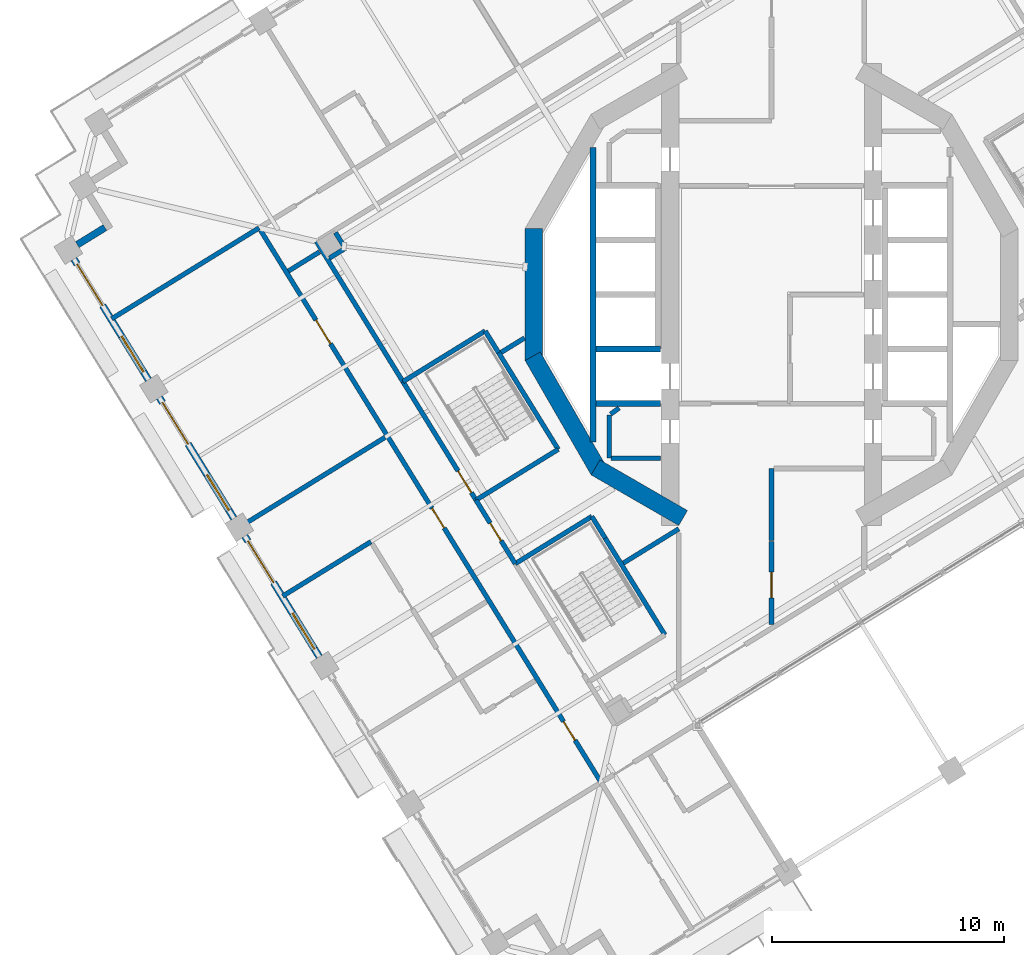
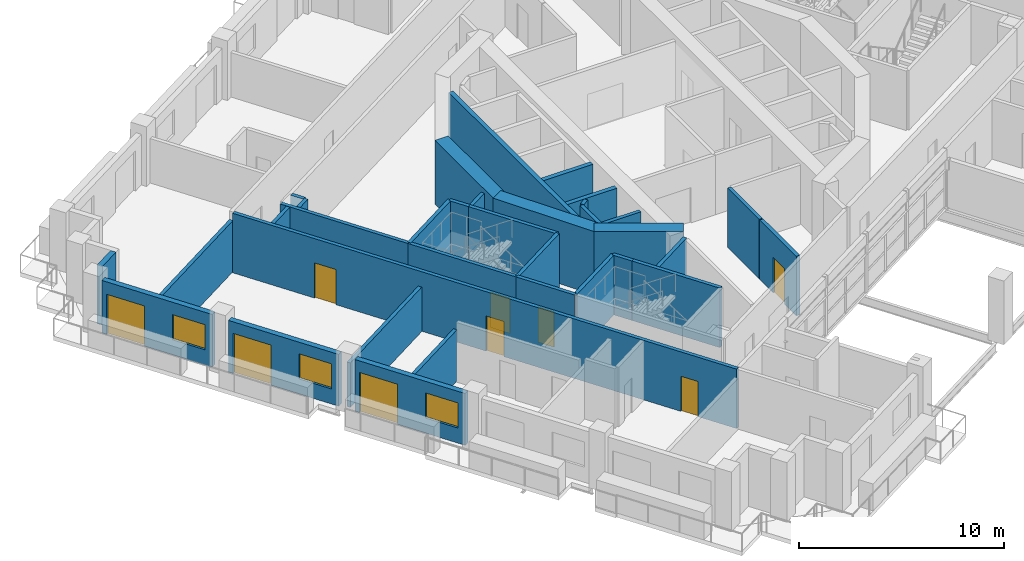
# One storey, part 9 of 22: 34 walls, 9 doors, 3 windows, 12 openings.
"""IFC4 building model written with IfcOpenShell, lengths in metres."""

from ifc_helpers import new_model, si_unit, direction, frame, frame_2d, origin, place, context, subcontext, project, spatial, rectangle, extrude, material, layer, layer_set, type_object, element, fill, save


model = new_model("IFC4")

# Units and contexts
model_context = context("Model", 3, precision=1e-05, world=origin(), true_north=direction((0.0, 1.0)))
body_context = subcontext(model_context, "Body", "Model", "MODEL_VIEW")
ifc_project = project(units=[si_unit("LENGTHUNIT", "METRE"), si_unit("AREAUNIT", "SQUARE_METRE"), si_unit("VOLUMEUNIT", "CUBIC_METRE"), si_unit("PLANEANGLEUNIT", "RADIAN"), si_unit("MASSUNIT", "GRAM", prefix="KILO")], contexts=[model_context])

# Site, building, storey
site_placement = place(None, origin())
site = spatial("IfcSite", under=ifc_project, at=site_placement, CompositionType="ELEMENT")
building_placement = place(site_placement, origin())
building = spatial("IfcBuilding", under=site, at=building_placement, Name="Cantera Rosa Tower", CompositionType="ELEMENT")
storey_placement = place(building_placement, frame((0.0, 0.0, 178.0)))
storey = spatial("IfcBuildingStorey", under=building, at=storey_placement, Name="L39", CompositionType="ELEMENT", Elevation=178.0)

# Wall, openings, doors
ifc_material_1 = material(Name="Gypsum board partition")
ifc_layer_1 = layer(ifc_material_1, 0.199951171875)
ifc_layer_set_1 = layer_set([ifc_layer_1], Name="CORRIDOR WALL 200 H3550")
wall_type_1 = type_object("IfcWallType", Name="CORRIDOR WALL 200 H3550", PredefinedType="PARTITIONING", material=ifc_layer_set_1)
wall_1_placement = place(storey_placement, frame((-22.037109375, 2.77392578125, 0.0), z_axis=(0.0, 0.0, 1.0), x_axis=(0.524973936666, -0.85111830307, 0.0)))
wall_1 = element("IfcWall", 1, at=wall_1_placement, inside=storey, type_object=wall_type_1, Name="CORRIDOR WALL L39-002", PredefinedType="PARTITIONING", context=body_context, shape_type="SweptSolid", body=[
    extrude(rectangle(XDim=27.97998046875, YDim=0.199951171875, at=frame_2d((13.989990234375, 0.0))), origin(), (0.0, 0.0, 1.0), 3.550048828125),
])
opening_1_placement = place(wall_1_placement, frame((4.550048828125, 0.0, 0.0)))
opening_1 = element("IfcOpeningElement", 2, at=opening_1_placement, cuts=wall_1, Name="Opening L39-043", PredefinedType="OPENING", context=body_context, shape_type="SweptSolid", body=[
    extrude(rectangle(XDim=1.199951171875, YDim=2.10009765625, at=frame_2d((0.60009765625, 1.050048828125))), frame((0.0, 0.10986328125, 0.0), z_axis=(0.0, -1.0, 0.0), x_axis=(1.0, 0.0, 0.0)), (0.0, 0.0, 1.0), 0.219970703125),
])
opening_2_placement = place(wall_1_placement, frame((14.0849609375, 0.0, 0.0)))
opening_2 = element("IfcOpeningElement", 3, at=opening_2_placement, cuts=wall_1, Name="Opening L39-044", PredefinedType="OPENING", context=body_context, shape_type="SweptSolid", body=[
    extrude(rectangle(XDim=1.0, YDim=2.10009765625, at=frame_2d((0.5, 1.050048828125))), frame((0.0, 0.10986328125, 0.0), z_axis=(0.0, -1.0, 0.0), x_axis=(1.0, 0.0, 0.0)), (0.0, 0.0, 1.0), 0.219970703125),
])
opening_3_placement = place(wall_1_placement, frame((24.889892578125, 0.0, 0.0)))
opening_3 = element("IfcOpeningElement", 4, at=opening_3_placement, cuts=wall_1, Name="Opening L39-047", PredefinedType="OPENING", context=body_context, shape_type="SweptSolid", body=[
    extrude(rectangle(XDim=0.949951171875, YDim=2.10009765625, at=frame_2d((0.47509765625, 1.050048828125))), frame((0.0, 0.10986328125, 0.0), z_axis=(0.0, -1.0, 0.0), x_axis=(1.0, 0.0, 0.0)), (0.0, 0.0, 1.0), 0.219970703125),
])
ifc_material_2 = material(Name="Timber door leaf", Category="wood")
door_type_1 = type_object("IfcDoorType", Name="ENTRANCE DOOR 1000x2100", OperationType="NOTDEFINED", PredefinedType="DOOR", material=ifc_material_2)
door_1_placement = place(opening_2_placement, origin())
door_1 = element("IfcDoor", 5, at=door_1_placement, inside=storey, type_object=door_type_1, Name="DOOR L39-044", OperationType="NOTDEFINED", OverallHeight=2.10009765625, OverallWidth=1.0, PredefinedType="DOOR", context=body_context, shape_type="SweptSolid", body=[
    extrude(rectangle(XDim=1.0, YDim=2.10009765625, at=frame_2d((0.5, 1.050048828125))), frame((0.0, 0.02490234375, 0.0), z_axis=(0.0, -1.0, 0.0), x_axis=(1.0, 0.0, 0.0)), (0.0, 0.0, 1.0), 0.050048828125),
])
fill(opening_2, door_1)
ifc_material_3 = material(Name="Timber door leaf", Category="wood")
door_type_2 = type_object("IfcDoorType", Name="ROOM DOOR 1200x2100", OperationType="NOTDEFINED", PredefinedType="DOOR", material=ifc_material_3)
door_2_placement = place(opening_1_placement, origin())
door_2 = element("IfcDoor", 6, at=door_2_placement, inside=storey, type_object=door_type_2, Name="DOOR L39-043", OperationType="NOTDEFINED", OverallHeight=2.10009765625, OverallWidth=1.199951171875, PredefinedType="DOOR", context=body_context, shape_type="SweptSolid", body=[
    extrude(rectangle(XDim=1.199951171875, YDim=2.10009765625, at=frame_2d((0.60009765625, 1.050048828125))), frame((0.0, 0.02490234375, 0.0), z_axis=(0.0, -1.0, 0.0), x_axis=(1.0, 0.0, 0.0)), (0.0, 0.0, 1.0), 0.050048828125),
])
fill(opening_1, door_2)
ifc_material_4 = material(Name="Timber door leaf", Category="wood")
door_type_3 = type_object("IfcDoorType", Name="ROOM DOOR 950x2100", OperationType="NOTDEFINED", PredefinedType="DOOR", material=ifc_material_4)
door_3_placement = place(opening_3_placement, origin())
door_3 = element("IfcDoor", 7, at=door_3_placement, inside=storey, type_object=door_type_3, Name="DOOR L39-047", OperationType="NOTDEFINED", OverallHeight=2.10009765625, OverallWidth=0.949951171875, PredefinedType="DOOR", context=body_context, shape_type="SweptSolid", body=[
    extrude(rectangle(XDim=0.949951171875, YDim=2.10009765625, at=frame_2d((0.47509765625, 1.050048828125))), frame((0.0, 0.02490234375, 0.0), z_axis=(0.0, -1.0, 0.0), x_axis=(1.0, 0.0, 0.0)), (0.0, 0.0, 1.0), 0.050048828125),
])
fill(opening_3, door_3)

# Walls
wall_2_placement = place(storey_placement, frame((-20.8349609375, 1.015380859375, 0.0), z_axis=(0.0, 0.0, 1.0), x_axis=(0.851143253059, 0.52493348414, 0.0)))
element("IfcWall", 8, at=wall_2_placement, inside=storey, type_object=wall_type_1, Name="CORRIDOR WALL L39-004", PredefinedType="PARTITIONING", context=body_context, shape_type="SweptSolid", body=[
    extrude(rectangle(XDim=1.579833984375, YDim=0.199951171875, at=frame_2d((0.7900390625, 0.0))), origin(), (0.0, 0.0, 1.0), 3.550048828125),
])
wall_3_placement = place(storey_placement, frame((-19.623291015625, 2.2890625, 0.0), z_axis=(0.0, 0.0, 1.0), x_axis=(0.524973806956, -0.851118383076, 0.0)))
element("IfcWall", 9, at=wall_3_placement, inside=storey, type_object=wall_type_1, Name="CORRIDOR WALL L39-005", PredefinedType="PARTITIONING", context=body_context, shape_type="SweptSolid", body=[
    extrude(rectangle(XDim=7.100830078125, YDim=0.199951171875, at=frame_2d((3.55029296875, 0.0))), origin(), (0.0, 0.0, 1.0), 3.550048828125),
])

# Wall, opening, door
wall_4_placement = place(storey_placement, frame((-12.74560546875, -8.861328125, 0.0), z_axis=(0.0, 0.0, 1.0), x_axis=(0.524959112102, -0.851127446756, 0.0)))
wall_4 = element("IfcWall", 10, at=wall_4_placement, inside=storey, type_object=wall_type_1, Name="CORRIDOR WALL L39-016", PredefinedType="PARTITIONING", context=body_context, shape_type="SweptSolid", body=[
    extrude(rectangle(XDim=3.223876953125, YDim=0.199951171875, at=frame_2d((1.61181640625, 0.0))), origin(), (0.0, 0.0, 1.0), 3.550048828125),
])
opening_4_placement = place(wall_4_placement, frame((1.161865234375, 0.0, 0.0)))
opening_4 = element("IfcOpeningElement", 11, at=opening_4_placement, cuts=wall_4, Name="Opening L39-007", PredefinedType="OPENING", context=body_context, shape_type="SweptSolid", body=[
    extrude(rectangle(XDim=0.89990234375, YDim=2.10009765625, at=frame_2d((0.449951171875, 1.050048828125))), frame((0.0, 0.10986328125, 0.0), z_axis=(0.0, -1.0, 0.0), x_axis=(1.0, 0.0, 0.0)), (0.0, 0.0, 1.0), 0.219970703125),
])
ifc_material_5 = material(Name="Timber door leaf", Category="wood")
door_type_4 = type_object("IfcDoorType", Name="SERVICE DOOR 900x2100", OperationType="NOTDEFINED", PredefinedType="DOOR", material=ifc_material_5)
door_4_placement = place(opening_4_placement, origin())
door_4 = element("IfcDoor", 12, at=door_4_placement, inside=storey, type_object=door_type_4, Name="DOOR L39-007", OperationType="NOTDEFINED", OverallHeight=2.10009765625, OverallWidth=0.89990234375, PredefinedType="DOOR", context=body_context, shape_type="SweptSolid", body=[
    extrude(rectangle(XDim=0.89990234375, YDim=2.10009765625, at=frame_2d((0.449951171875, 1.050048828125))), frame((0.0, 0.02490234375, 0.0), z_axis=(0.0, -1.0, 0.0), x_axis=(1.0, 0.0, 0.0)), (0.0, 0.0, 1.0), 0.050048828125),
])
fill(opening_4, door_4)

wall_5_placement = place(storey_placement, frame((0.0, -10.6552734375, 0.0), z_axis=(0.0, 0.0, 1.0), x_axis=(0.0, -1.0, 0.0)))
wall_5 = element("IfcWall", 13, at=wall_5_placement, inside=storey, type_object=wall_type_1, Name="CORRIDOR WALL L39-064", PredefinedType="PARTITIONING", context=body_context, shape_type="SweptSolid", body=[
    extrude(rectangle(XDim=3.57763671875, YDim=0.199951171875, at=frame_2d((1.788818359375, 0.0))), origin(), (0.0, 0.0, 1.0), 3.550048828125),
])
opening_5_placement = place(wall_5_placement, frame((1.31884765625, 0.0, 0.0)))
opening_5 = element("IfcOpeningElement", 14, at=opening_5_placement, cuts=wall_5, Name="Opening L39-017", PredefinedType="OPENING", context=body_context, shape_type="SweptSolid", body=[
    extrude(rectangle(XDim=1.10009765625, YDim=2.10009765625, at=frame_2d((0.550048828125, 1.050048828125))), frame((0.0, 0.10986328125, 0.0), z_axis=(0.0, -1.0, 0.0), x_axis=(1.0, 0.0, 0.0)), (0.0, 0.0, 1.0), 0.219970703125),
])
ifc_material_6 = material(Name="Timber door leaf", Category="wood")
door_type_5 = type_object("IfcDoorType", Name="ROOM DOOR 1100x2100", OperationType="NOTDEFINED", PredefinedType="DOOR", material=ifc_material_6)
door_5_placement = place(opening_5_placement, origin())
door_5 = element("IfcDoor", 15, at=door_5_placement, inside=storey, type_object=door_type_5, Name="DOOR L39-017", OperationType="NOTDEFINED", OverallHeight=2.10009765625, OverallWidth=1.10009765625, PredefinedType="DOOR", context=body_context, shape_type="SweptSolid", body=[
    extrude(rectangle(XDim=1.10009765625, YDim=2.10009765625, at=frame_2d((0.550048828125, 1.050048828125))), frame((0.0, 0.02490234375, 0.0), z_axis=(0.0, -1.0, 0.0), x_axis=(1.0, 0.0, 0.0)), (0.0, 0.0, 1.0), 0.050048828125),
])
fill(opening_5, door_5)

# Walls
wall_6_placement = place(storey_placement, frame((0.0, -7.5, 0.0), z_axis=(0.0, 0.0, 1.0), x_axis=(0.0, -1.0, 0.0)))
element("IfcWall", 16, at=wall_6_placement, inside=storey, type_object=wall_type_1, Name="CORRIDOR WALL L39-065", PredefinedType="PARTITIONING", context=body_context, shape_type="SweptSolid", body=[
    extrude(rectangle(XDim=3.09521484375, YDim=0.199951171875, at=frame_2d((1.547607421875, 0.0))), origin(), (0.0, 0.0, 1.0), 3.550048828125),
])
ifc_material_7 = material(Name="Hollow clay masonry with cantera stone cladding", Category="masonry")
ifc_layer_2 = layer(ifc_material_7, 0.300048828125)
ifc_layer_set_2 = layer_set([ifc_layer_2], Name="EW-LOGGIA 300")
wall_type_2 = type_object("IfcWallType", Name="EW-LOGGIA 300", PredefinedType="SOLIDWALL", material=ifc_layer_set_2)
wall_7_placement = place(storey_placement, frame((-28.74658203125, 2.888916015625, 0.0), z_axis=(0.0, 0.0, 1.0), x_axis=(-0.851040987269, -0.525099264891, 0.0)))
element("IfcWall", 17, at=wall_7_placement, inside=storey, type_object=wall_type_2, Name="EN-L39-W14b", PredefinedType="SOLIDWALL", context=body_context, shape_type="SweptSolid", body=[
    extrude(rectangle(XDim=1.39990234375, YDim=0.300048828125, at=frame_2d((0.699951171875, 0.0))), origin(), (0.0, 0.0, 1.0), 3.5),
])

# Wall, openings, window, door
ifc_material_8 = material(Name="Hollow clay masonry with cantera stone cladding", Category="masonry")
ifc_layer_3 = layer(ifc_material_8, 0.300048828125)
ifc_layer_set_3 = layer_set([ifc_layer_3], Name="EW-LOGGIA 300 H3090")
wall_type_3 = type_object("IfcWallType", Name="EW-LOGGIA 300 H3090", PredefinedType="SOLIDWALL", material=ifc_layer_set_3)
wall_8_placement = place(storey_placement, frame((-26.3994140625, -4.440185546875, 0.0), z_axis=(0.0, 0.0, 1.0), x_axis=(0.524987447654, -0.851109969279, 0.0)))
wall_8 = element("IfcWall", 18, at=wall_8_placement, inside=storey, type_object=wall_type_3, Name="EN-L39-W16", PredefinedType="SOLIDWALL", context=body_context, shape_type="SweptSolid", body=[
    extrude(rectangle(XDim=6.119873046875, YDim=0.300048828125, at=frame_2d((3.06005859375, 0.0))), origin(), (0.0, 0.0, 1.0), 3.090087890625),
])
opening_6_placement = place(wall_8_placement, frame((0.2548828125, 0.0, 0.0)))
opening_6 = element("IfcOpeningElement", 19, at=opening_6_placement, cuts=wall_8, Name="Opening L39-TD23", PredefinedType="OPENING", context=body_context, shape_type="SweptSolid", body=[
    extrude(rectangle(XDim=2.10009765625, YDim=2.39990234375, at=frame_2d((1.050048828125, 1.199951171875))), frame((0.0, 0.159912109375, 0.0), z_axis=(0.0, -1.0, 0.0), x_axis=(1.0, 0.0, 0.0)), (0.0, 0.0, 1.0), 0.320068359375),
])
opening_7_placement = place(wall_8_placement, frame((3.9150390625, 0.0, 0.89990234375)))
opening_7 = element("IfcOpeningElement", 20, at=opening_7_placement, cuts=wall_8, Name="Opening L39-W24", PredefinedType="OPENING", context=body_context, shape_type="SweptSolid", body=[
    extrude(rectangle(XDim=1.800048828125, YDim=1.5, at=frame_2d((0.89990234375, 0.75))), frame((0.0, 0.159912109375, 0.0), z_axis=(0.0, -1.0, 0.0), x_axis=(1.0, 0.0, 0.0)), (0.0, 0.0, 1.0), 0.320068359375),
])
ifc_material_9 = material(Name="Aluminium frame with clear glass", Category="aluminium")
window_type = type_object("IfcWindowType", Name="Hotel room window 1800x1500", PartitioningType="DOUBLE_PANEL_VERTICAL", PredefinedType="WINDOW", material=ifc_material_9)
window_1_placement = place(opening_7_placement, origin())
window_1 = element("IfcWindow", 21, at=window_1_placement, inside=storey, type_object=window_type, Name="WINDOW L39-W24", OverallHeight=1.5, OverallWidth=1.800048828125, PartitioningType="SINGLE_PANEL", PredefinedType="WINDOW", context=body_context, shape_type="SweptSolid", body=[
    extrude(rectangle(XDim=1.800048828125, YDim=1.5, at=frame_2d((0.89990234375, 0.75))), frame((0.0, 0.030029296875, 0.0), z_axis=(0.0, -1.0, 0.0), x_axis=(1.0, 0.0, 0.0)), (0.0, 0.0, 1.0), 0.06005859375),
])
fill(opening_7, window_1)
ifc_material_10 = material(Name="Aluminium frame with clear glass", Category="aluminium")
door_type_6 = type_object("IfcDoorType", Name="TD-H 2100x2400", OperationType="NOTDEFINED", PredefinedType="DOOR", material=ifc_material_10)
door_6_placement = place(opening_6_placement, origin())
door_6 = element("IfcDoor", 22, at=door_6_placement, inside=storey, type_object=door_type_6, Name="LOGGIA DOOR L39-TD23", OperationType="SLIDING_TO_LEFT", OverallHeight=2.39990234375, OverallWidth=2.10009765625, PredefinedType="DOOR", context=body_context, shape_type="SweptSolid", body=[
    extrude(rectangle(XDim=2.10009765625, YDim=2.39990234375, at=frame_2d((1.050048828125, 1.199951171875))), frame((0.0, 0.02490234375, 0.0), z_axis=(0.0, -1.0, 0.0), x_axis=(1.0, 0.0, 0.0)), (0.0, 0.0, 1.0), 0.050048828125),
])
fill(opening_6, door_6)

wall_9_placement = place(storey_placement, frame((-22.714111328125, -10.4150390625, 0.0), z_axis=(0.0, 0.0, 1.0), x_axis=(0.524987447654, -0.851109969279, 0.0)))
wall_9 = element("IfcWall", 23, at=wall_9_placement, inside=storey, type_object=wall_type_3, Name="EN-L39-W17", PredefinedType="SOLIDWALL", context=body_context, shape_type="SweptSolid", body=[
    extrude(rectangle(XDim=6.119873046875, YDim=0.300048828125, at=frame_2d((3.06005859375, 0.0))), origin(), (0.0, 0.0, 1.0), 3.090087890625),
])
opening_8_placement = place(wall_9_placement, frame((0.2548828125, 0.0, 0.0)))
opening_8 = element("IfcOpeningElement", 24, at=opening_8_placement, cuts=wall_9, Name="Opening L39-TD25", PredefinedType="OPENING", context=body_context, shape_type="SweptSolid", body=[
    extrude(rectangle(XDim=2.10009765625, YDim=2.39990234375, at=frame_2d((1.050048828125, 1.199951171875))), frame((0.0, 0.159912109375, 0.0), z_axis=(0.0, -1.0, 0.0), x_axis=(1.0, 0.0, 0.0)), (0.0, 0.0, 1.0), 0.320068359375),
])
opening_9_placement = place(wall_9_placement, frame((3.9150390625, 0.0, 0.89990234375)))
opening_9 = element("IfcOpeningElement", 25, at=opening_9_placement, cuts=wall_9, Name="Opening L39-W26", PredefinedType="OPENING", context=body_context, shape_type="SweptSolid", body=[
    extrude(rectangle(XDim=1.800048828125, YDim=1.5, at=frame_2d((0.89990234375, 0.75))), frame((0.0, 0.159912109375, 0.0), z_axis=(0.0, -1.0, 0.0), x_axis=(1.0, 0.0, 0.0)), (0.0, 0.0, 1.0), 0.320068359375),
])
window_2_placement = place(opening_9_placement, origin())
window_2 = element("IfcWindow", 26, at=window_2_placement, inside=storey, type_object=window_type, Name="WINDOW L39-W26", OverallHeight=1.5, OverallWidth=1.800048828125, PartitioningType="SINGLE_PANEL", PredefinedType="WINDOW", context=body_context, shape_type="SweptSolid", body=[
    extrude(rectangle(XDim=1.800048828125, YDim=1.5, at=frame_2d((0.89990234375, 0.75))), frame((0.0, 0.030029296875, 0.0), z_axis=(0.0, -1.0, 0.0), x_axis=(1.0, 0.0, 0.0)), (0.0, 0.0, 1.0), 0.06005859375),
])
fill(opening_9, window_2)
door_7_placement = place(opening_8_placement, origin())
door_7 = element("IfcDoor", 27, at=door_7_placement, inside=storey, type_object=door_type_6, Name="LOGGIA DOOR L39-TD25", OperationType="SLIDING_TO_LEFT", OverallHeight=2.39990234375, OverallWidth=2.10009765625, PredefinedType="DOOR", context=body_context, shape_type="SweptSolid", body=[
    extrude(rectangle(XDim=2.10009765625, YDim=2.39990234375, at=frame_2d((1.050048828125, 1.199951171875))), frame((0.0, 0.02490234375, 0.0), z_axis=(0.0, -1.0, 0.0), x_axis=(1.0, 0.0, 0.0)), (0.0, 0.0, 1.0), 0.050048828125),
])
fill(opening_8, door_7)

ifc_material_11 = material(Name="Hollow clay masonry with cantera stone cladding", Category="masonry")
ifc_layer_4 = layer(ifc_material_11, 0.300048828125)
ifc_layer_set_4 = layer_set([ifc_layer_4], Name="EW-LOGGIA 300 H3140")
wall_type_4 = type_object("IfcWallType", Name="EW-LOGGIA 300 H3140", PredefinedType="SOLIDWALL", material=ifc_layer_set_4)
wall_10_placement = place(storey_placement, frame((-30.084716796875, 1.53466796875, 0.0), z_axis=(0.0, 0.0, 1.0), x_axis=(0.524987447654, -0.851109969279, 0.0)))
wall_10 = element("IfcWall", 28, at=wall_10_placement, inside=storey, type_object=wall_type_4, Name="EN-L39-W15", PredefinedType="SOLIDWALL", context=body_context, shape_type="SweptSolid", body=[
    extrude(rectangle(XDim=6.119873046875, YDim=0.300048828125, at=frame_2d((3.06005859375, 0.0))), origin(), (0.0, 0.0, 1.0), 3.139892578125),
])
opening_10_placement = place(wall_10_placement, frame((0.2548828125, 0.0, 0.0)))
opening_10 = element("IfcOpeningElement", 29, at=opening_10_placement, cuts=wall_10, Name="Opening L39-TD21", PredefinedType="OPENING", context=body_context, shape_type="SweptSolid", body=[
    extrude(rectangle(XDim=2.10009765625, YDim=2.39990234375, at=frame_2d((1.050048828125, 1.199951171875))), frame((0.0, 0.159912109375, 0.0), z_axis=(0.0, -1.0, 0.0), x_axis=(1.0, 0.0, 0.0)), (0.0, 0.0, 1.0), 0.320068359375),
])
opening_11_placement = place(wall_10_placement, frame((3.9150390625, 0.0, 0.89990234375)))
opening_11 = element("IfcOpeningElement", 30, at=opening_11_placement, cuts=wall_10, Name="Opening L39-W22", PredefinedType="OPENING", context=body_context, shape_type="SweptSolid", body=[
    extrude(rectangle(XDim=1.800048828125, YDim=1.5, at=frame_2d((0.89990234375, 0.75))), frame((0.0, 0.159912109375, 0.0), z_axis=(0.0, -1.0, 0.0), x_axis=(1.0, 0.0, 0.0)), (0.0, 0.0, 1.0), 0.320068359375),
])
window_3_placement = place(opening_11_placement, origin())
window_3 = element("IfcWindow", 31, at=window_3_placement, inside=storey, type_object=window_type, Name="WINDOW L39-W22", OverallHeight=1.5, OverallWidth=1.800048828125, PartitioningType="SINGLE_PANEL", PredefinedType="WINDOW", context=body_context, shape_type="SweptSolid", body=[
    extrude(rectangle(XDim=1.800048828125, YDim=1.5, at=frame_2d((0.89990234375, 0.75))), frame((0.0, 0.030029296875, 0.0), z_axis=(0.0, -1.0, 0.0), x_axis=(1.0, 0.0, 0.0)), (0.0, 0.0, 1.0), 0.06005859375),
])
fill(opening_11, window_3)
door_8_placement = place(opening_10_placement, origin())
door_8 = element("IfcDoor", 32, at=door_8_placement, inside=storey, type_object=door_type_6, Name="LOGGIA DOOR L39-TD21", OperationType="SLIDING_TO_LEFT", OverallHeight=2.39990234375, OverallWidth=2.10009765625, PredefinedType="DOOR", context=body_context, shape_type="SweptSolid", body=[
    extrude(rectangle(XDim=2.10009765625, YDim=2.39990234375, at=frame_2d((1.050048828125, 1.199951171875))), frame((0.0, 0.02490234375, 0.0), z_axis=(0.0, -1.0, 0.0), x_axis=(1.0, 0.0, 0.0)), (0.0, 0.0, 1.0), 0.050048828125),
])
fill(opening_10, door_8)

# Walls
ifc_material_12 = material(Name="Gypsum board partition")
ifc_layer_5 = layer(ifc_material_12, 0.199951171875)
ifc_layer_set_5 = layer_set([ifc_layer_5], Name="PARTITION 200 H3050")
wall_type_5 = type_object("IfcWallType", Name="PARTITION 200 H3050", PredefinedType="PARTITIONING", material=ifc_layer_set_5)
wall_11_placement = place(storey_placement, frame((-22.10009765625, 2.876220703125, 0.0), z_axis=(0.0, 0.0, 1.0), x_axis=(-0.85111586596, -0.524977887831, 0.0)))
element("IfcWall", 33, at=wall_11_placement, inside=storey, type_object=wall_type_5, Name="PARTITION L39-001", PredefinedType="PARTITIONING", context=body_context, shape_type="SweptSolid", body=[
    extrude(rectangle(XDim=7.469970703125, YDim=0.199951171875, at=frame_2d((3.73486328125, 0.0))), origin(), (0.0, 0.0, 1.0), 3.050048828125),
])
wall_12_placement = place(storey_placement, frame((-21.082275390625, -13.003662109375, 0.0), z_axis=(0.0, 0.0, 1.0), x_axis=(0.851125318938, 0.524962561963, 0.0)))
element("IfcWall", 34, at=wall_12_placement, inside=storey, type_object=wall_type_5, Name="PARTITION L39-003", PredefinedType="PARTITIONING", context=body_context, shape_type="SweptSolid", body=[
    extrude(rectangle(XDim=4.47021484375, YDim=0.199951171875, at=frame_2d((2.235107421875, 0.0))), origin(), (0.0, 0.0, 1.0), 3.050048828125),
])
ifc_material_13 = material(Name="Gypsum board partition")
ifc_layer_6 = layer(ifc_material_13, 0.199951171875)
ifc_layer_set_6 = layer_set([ifc_layer_6], Name="PARTITION 200 H3550")
wall_type_6 = type_object("IfcWallType", Name="PARTITION 200 H3550", PredefinedType="PARTITIONING", material=ifc_layer_set_6)
wall_13_placement = place(storey_placement, frame((-19.065673828125, 1.575439453125, 0.0), z_axis=(0.0, 0.0, 1.0), x_axis=(0.85101860469, 0.525135539144, 0.0)))
element("IfcWall", 35, at=wall_13_placement, inside=storey, type_object=wall_type_6, Name="PARTITION L39-007", PredefinedType="PARTITIONING", context=body_context, shape_type="SweptSolid", body=[
    extrude(rectangle(XDim=0.800048828125, YDim=0.199951171875, at=frame_2d((0.39990234375, 0.0))), origin(), (0.0, 0.0, 1.0), 3.550048828125),
])
wall_14_placement = place(storey_placement, frame((-18.437255859375, 2.08056640625, 0.0), z_axis=(0.0, 0.0, 1.0), x_axis=(-0.524817119332, 0.851215008829, 0.0)))
element("IfcWall", 36, at=wall_14_placement, inside=storey, type_object=wall_type_6, Name="PARTITION L39-008", PredefinedType="PARTITIONING", context=body_context, shape_type="SweptSolid", body=[
    extrude(rectangle(XDim=0.7001953125, YDim=0.199951171875, at=frame_2d((0.35009765625, 0.0))), origin(), (0.0, 0.0, 1.0), 3.550048828125),
])
wall_15_placement = place(storey_placement, frame((-10.6552734375, -1.87255859375, 0.0), z_axis=(0.0, 0.0, 1.0), x_axis=(-0.851083160227, -0.525030908021, 0.0)))
element("IfcWall", 37, at=wall_15_placement, inside=storey, type_object=wall_type_6, Name="PARTITION L39-023", PredefinedType="PARTITIONING", context=body_context, shape_type="SweptSolid", body=[
    extrude(rectangle(XDim=1.181640625, YDim=0.199951171875, at=frame_2d((0.5908203125, 0.0))), origin(), (0.0, 0.0, 1.0), 3.550048828125),
])
wall_16_placement = place(storey_placement, frame((-7.0, -7.050048828125, 0.0), z_axis=(0.0, 0.0, 1.0), x_axis=(0.0, 1.0, 0.0)))
element("IfcWall", 38, at=wall_16_placement, inside=storey, type_object=wall_type_6, Name="PARTITION L39-040", PredefinedType="PARTITIONING", context=body_context, shape_type="SweptSolid", body=[
    extrude(rectangle(XDim=1.85009765625, YDim=0.199951171875, at=frame_2d((0.925048828125, 0.0))), origin(), (0.0, 0.0, 1.0), 3.550048828125),
])
wall_17_placement = place(storey_placement, frame((-6.935302734375, -5.15283203125, 0.0), z_axis=(0.0, 0.0, 1.0), x_axis=(0.808147744029, 0.58897981614, 0.0)))
element("IfcWall", 39, at=wall_17_placement, inside=storey, type_object=wall_type_6, Name="PARTITION L39-041", PredefinedType="PARTITIONING", context=body_context, shape_type="SweptSolid", body=[
    extrude(rectangle(XDim=0.448974609375, YDim=0.199951171875, at=frame_2d((0.224609375, 0.0))), origin(), (0.0, 0.0, 1.0), 3.550048828125),
])
wall_18_placement = place(storey_placement, frame((-4.780029296875, -7.050048828125, 0.0), z_axis=(0.0, 0.0, 1.0), x_axis=(-1.0, 0.0, 0.0)))
element("IfcWall", 40, at=wall_18_placement, inside=storey, type_object=wall_type_6, Name="PARTITION L39-050", PredefinedType="PARTITIONING", context=body_context, shape_type="SweptSolid", body=[
    extrude(rectangle(XDim=2.139892578125, YDim=0.199951171875, at=frame_2d((1.06982421875, 0.0))), origin(), (0.0, 0.0, 1.0), 3.550048828125),
])
wall_19_placement = place(storey_placement, frame((-4.0, -10.104248046875, 0.0), z_axis=(0.0, 0.0, 1.0), x_axis=(-0.851117804286, -0.524974745323, 0.0)))
element("IfcWall", 41, at=wall_19_placement, inside=storey, type_object=wall_type_6, Name="PARTITION L39-054", PredefinedType="PARTITIONING", context=body_context, shape_type="SweptSolid", body=[
    extrude(rectangle(XDim=2.809326171875, YDim=0.199951171875, at=frame_2d((1.40478515625, 0.0))), origin(), (0.0, 0.0, 1.0), 3.550048828125),
])
ifc_material_14 = material(Name="Gypsum board partition")
ifc_layer_7 = layer(ifc_material_14, 0.199951171875)
ifc_layer_set_7 = layer_set([ifc_layer_7], Name="PARTY WALL 200 H2650")
wall_type_7 = type_object("IfcWallType", Name="PARTY WALL 200 H2650", PredefinedType="PARTITIONING", material=ifc_layer_set_7)
wall_20_placement = place(storey_placement, frame((-16.669189453125, -6.15771484375, 0.0), z_axis=(0.0, 0.0, 1.0), x_axis=(-0.851109277096, -0.52498856982, 0.0)))
element("IfcWall", 42, at=wall_20_placement, inside=storey, type_object=wall_type_7, Name="PARTY WALL L39-012", PredefinedType="PARTITIONING", context=body_context, shape_type="SweptSolid", body=[
    extrude(rectangle(XDim=7.349853515625, YDim=0.199951171875, at=frame_2d((3.6748046875, 0.0))), origin(), (0.0, 0.0, 1.0), 2.64990234375),
])
ifc_material_15 = material(Name="Concrete C60/75", Category="concrete")
ifc_layer_8 = layer(ifc_material_15, 0.75)
ifc_layer_set_8 = layer_set([ifc_layer_8], Name="RC CORE WALL 750 C60/75")
wall_type_8 = type_object("IfcWallType", Name="RC CORE WALL 750 C60/75", PredefinedType="SHEAR", material=ifc_layer_set_8)
wall_21_placement = place(storey_placement, frame((-3.8125, -9.634765625, 0.0), z_axis=(0.0, 0.0, 1.0), x_axis=(-0.866013176292, 0.50002117804, 0.0)))
element("IfcWall", 43, at=wall_21_placement, inside=storey, type_object=wall_type_8, Name="CW-W1 L39", PredefinedType="SHEAR", context=body_context, shape_type="SweptSolid", body=[
    extrude(rectangle(XDim=4.362548828125, YDim=0.75, at=frame_2d((2.18115234375, 0.0))), origin(), (0.0, 0.0, 1.0), 3.800048828125),
])
wall_22_placement = place(storey_placement, frame((-7.453369140625, -7.590576171875, 0.0), z_axis=(0.0, 0.0, 1.0), x_axis=(-0.500021842983, 0.866012792365, 0.0)))
element("IfcWall", 44, at=wall_22_placement, inside=storey, type_object=wall_type_8, Name="CW-W2 L39", PredefinedType="SHEAR", context=body_context, shape_type="SweptSolid", body=[
    extrude(rectangle(XDim=5.694091796875, YDim=0.75, at=frame_2d((2.84716796875, 0.0))), origin(), (0.0, 0.0, 1.0), 3.800048828125),
])
wall_23_placement = place(storey_placement, frame((-10.250244140625, -2.846923828125, 0.0), z_axis=(0.0, 0.0, 1.0), x_axis=(0.0, 1.0, 0.0)))
element("IfcWall", 45, at=wall_23_placement, inside=storey, type_object=wall_type_8, Name="CW-W3 L39", PredefinedType="SHEAR", context=body_context, shape_type="SweptSolid", body=[
    extrude(rectangle(XDim=5.69384765625, YDim=0.75, at=frame_2d((2.846923828125, 0.0))), origin(), (0.0, 0.0, 1.0), 3.800048828125),
])
ifc_material_16 = material(Name="Masonry blockwork", Category="masonry")
ifc_layer_9 = layer(ifc_material_16, 0.25)
ifc_layer_set_9 = layer_set([ifc_layer_9], Name="SHAFT WALL 250 H3550")
wall_type_9 = type_object("IfcWallType", Name="SHAFT WALL 250 H3550", PredefinedType="SOLIDWALL", material=ifc_layer_set_9)
wall_24_placement = place(storey_placement, frame((-7.574951171875, -2.35009765625, 0.0), z_axis=(0.0, 0.0, 1.0), x_axis=(1.0, 0.0, 0.0)))
element("IfcWall", 46, at=wall_24_placement, inside=storey, type_object=wall_type_9, Name="SHAFT WALL L39-029", PredefinedType="SOLIDWALL", context=body_context, shape_type="SweptSolid", body=[
    extrude(rectangle(XDim=2.794921875, YDim=0.25, at=frame_2d((1.3974609375, 0.0))), origin(), (0.0, 0.0, 1.0), 3.550048828125),
])
wall_25_placement = place(storey_placement, frame((-7.699951171875, 6.353515625, 0.0), z_axis=(0.0, 0.0, 1.0), x_axis=(0.0, -1.0, 0.0)))
element("IfcWall", 47, at=wall_25_placement, inside=storey, type_object=wall_type_9, Name="SHAFT WALL L39-033", PredefinedType="SOLIDWALL", context=body_context, shape_type="SweptSolid", body=[
    extrude(rectangle(XDim=12.70703125, YDim=0.25, at=frame_2d((6.353515625, 0.0))), origin(), (0.0, 0.0, 1.0), 3.550048828125),
])
wall_26_placement = place(storey_placement, frame((-4.780029296875, -4.699951171875, 0.0), z_axis=(0.0, 0.0, 1.0), x_axis=(-1.0, 0.0, 0.0)))
element("IfcWall", 48, at=wall_26_placement, inside=storey, type_object=wall_type_9, Name="SHAFT WALL L39-051", PredefinedType="SOLIDWALL", context=body_context, shape_type="SweptSolid", body=[
    extrude(rectangle(XDim=2.794921875, YDim=0.25, at=frame_2d((1.3974609375, 0.0))), origin(), (0.0, 0.0, 1.0), 3.550048828125),
])

# Wall, opening, door
ifc_material_17 = material(Name="Concrete C50/60", Category="concrete")
ifc_layer_10 = layer(ifc_material_17, 0.199951171875)
ifc_layer_set_10 = layer_set([ifc_layer_10], Name="STAIR WALL 200 H3550")
wall_type_10 = type_object("IfcWallType", Name="STAIR WALL 200 H3550", PredefinedType="SOLIDWALL", material=ifc_layer_set_10)
wall_27_placement = place(storey_placement, frame((-15.8955078125, -3.754638671875, 0.0), z_axis=(0.0, 0.0, 1.0), x_axis=(0.524982543144, -0.851112994493, 0.0)))
wall_27 = element("IfcWall", 49, at=wall_27_placement, inside=storey, type_object=wall_type_10, Name="STAIR WALL L39-013", PredefinedType="SOLIDWALL", context=body_context, shape_type="SweptSolid", body=[
    extrude(rectangle(XDim=6.0, YDim=0.199951171875, at=frame_2d((3.0, 0.0))), origin(), (0.0, 0.0, 1.0), 3.550048828125),
])
opening_12_placement = place(wall_27_placement, frame((4.52490234375, 0.0, 0.0)))
opening_12 = element("IfcOpeningElement", 50, at=opening_12_placement, cuts=wall_27, Name="Opening L39-002", PredefinedType="OPENING", context=body_context, shape_type="SweptSolid", body=[
    extrude(rectangle(XDim=1.10009765625, YDim=2.10009765625, at=frame_2d((0.550048828125, 1.050048828125))), frame((0.0, 0.10986328125, 0.0), z_axis=(0.0, -1.0, 0.0), x_axis=(1.0, 0.0, 0.0)), (0.0, 0.0, 1.0), 0.219970703125),
])
ifc_material_18 = material(Name="Steel S355J2 (EN 10025-2)", Category="steel")
door_type_7 = type_object("IfcDoorType", Name="STAIR DOOR 1100x2100", OperationType="NOTDEFINED", PredefinedType="DOOR", material=ifc_material_18)
door_9_placement = place(opening_12_placement, origin())
door_9 = element("IfcDoor", 51, at=door_9_placement, inside=storey, type_object=door_type_7, Name="DOOR L39-002", OperationType="NOTDEFINED", OverallHeight=2.10009765625, OverallWidth=1.10009765625, PredefinedType="DOOR", context=body_context, shape_type="SweptSolid", body=[
    extrude(rectangle(XDim=1.10009765625, YDim=2.10009765625, at=frame_2d((0.550048828125, 1.050048828125))), frame((0.0, 0.02490234375, 0.0), z_axis=(0.0, -1.0, 0.0), x_axis=(1.0, 0.0, 0.0)), (0.0, 0.0, 1.0), 0.050048828125),
])
fill(opening_12, door_9)

# Walls
for number, where, z_axis, x_axis, name in (
    (52, (-12.74560546875, -8.861328125, 0.0), (0.0, 0.0, 1.0), (0.851120688733, 0.524970068871, 0.0), "STAIR WALL L39-017"),
    (53, (-12.349365234375, -1.5673828125, 0.0), (0.0, 0.0, 1.0), (-0.851120688733, -0.524970068871, 0.0), "STAIR WALL L39-019"),
):
    element("IfcWall", number, at=place(storey_placement, frame(where, z_axis=z_axis, x_axis=x_axis)), inside=storey, type_object=wall_type_10, Name=name, PredefinedType="SOLIDWALL", context=body_context, shape_type="SweptSolid", body=[
        extrude(rectangle(XDim=4.16650390625, YDim=0.199951171875, at=frame_2d((2.083251953125, 0.0))), origin(), (0.0, 0.0, 1.0), 3.550048828125),
    ])
wall_28_placement = place(storey_placement, frame((-9.199462890625, -6.674072265625, 0.0), z_axis=(0.0, 0.0, 1.0), x_axis=(-0.524942245614, 0.851137849452, 0.0)))
element("IfcWall", 54, at=wall_28_placement, inside=storey, type_object=wall_type_10, Name="STAIR WALL L39-025", PredefinedType="SOLIDWALL", context=body_context, shape_type="SweptSolid", body=[
    extrude(rectangle(XDim=4.900146484375, YDim=0.199951171875, at=frame_2d((2.4501953125, 0.0))), origin(), (0.0, 0.0, 1.0), 3.550048828125),
])
wall_29_placement = place(storey_placement, frame((-7.749267578125, -9.5673828125, 0.0), z_axis=(0.0, 0.0, 1.0), x_axis=(-0.851124503894, -0.524963883397, 0.0)))
element("IfcWall", 55, at=wall_29_placement, inside=storey, type_object=wall_type_10, Name="STAIR WALL L39-028", PredefinedType="SOLIDWALL", context=body_context, shape_type="SweptSolid", body=[
    extrude(rectangle(XDim=3.8818359375, YDim=0.199951171875, at=frame_2d((1.94091796875, 0.0))), origin(), (0.0, 0.0, 1.0), 3.550048828125),
])
wall_30_placement = place(storey_placement, frame((-4.599365234375, -14.674072265625, 0.0), z_axis=(0.0, 0.0, 1.0), x_axis=(-0.524978338244, 0.85111558814, 0.0)))
element("IfcWall", 56, at=wall_30_placement, inside=storey, type_object=wall_type_10, Name="STAIR WALL L39-053", PredefinedType="SOLIDWALL", context=body_context, shape_type="SweptSolid", body=[
    extrude(rectangle(XDim=4.900146484375, YDim=0.199951171875, at=frame_2d((2.4501953125, 0.0))), origin(), (0.0, 0.0, 1.0), 3.550048828125),
])
for number, where, z_axis, x_axis, name in (
    (57, (-11.771728515625, -2.50341796875, 0.0), (0.0, 0.0, 1.0), (-0.525162052325, 0.851002243709, 0.0), "STAIR WALL L39-025 J"),
    (58, (-7.171875, -10.50341796875, 0.0), (0.0, 0.0, 1.0), (-0.52500127828, 0.851101438023, 0.0), "STAIR WALL L39-053 J"),
):
    element("IfcWall", number, at=place(storey_placement, frame(where, z_axis=z_axis, x_axis=x_axis)), inside=storey, type_object=wall_type_10, Name=name, PredefinedType="SOLIDWALL", context=body_context, shape_type="SweptSolid", body=[
        extrude(rectangle(XDim=1.099853515625, YDim=0.199951171875, at=frame_2d((0.5498046875, 0.0))), origin(), (0.0, 0.0, 1.0), 3.550048828125),
    ])

save(model, "model.ifc")
